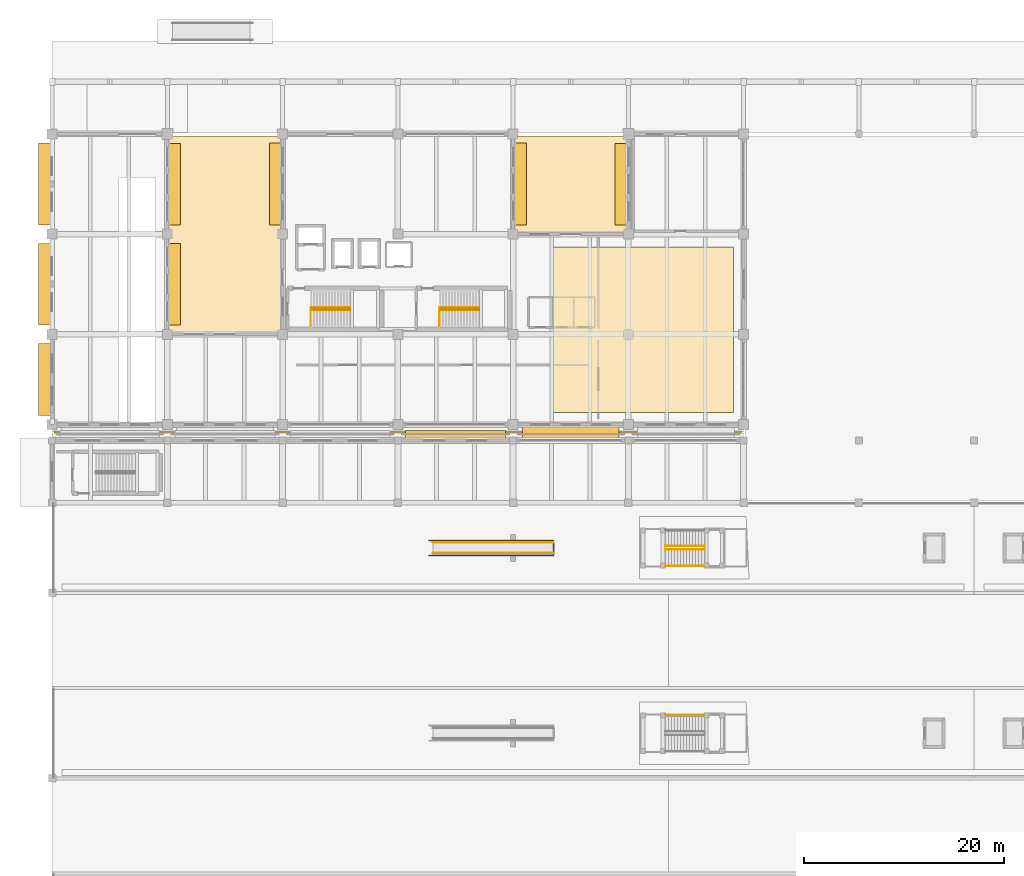
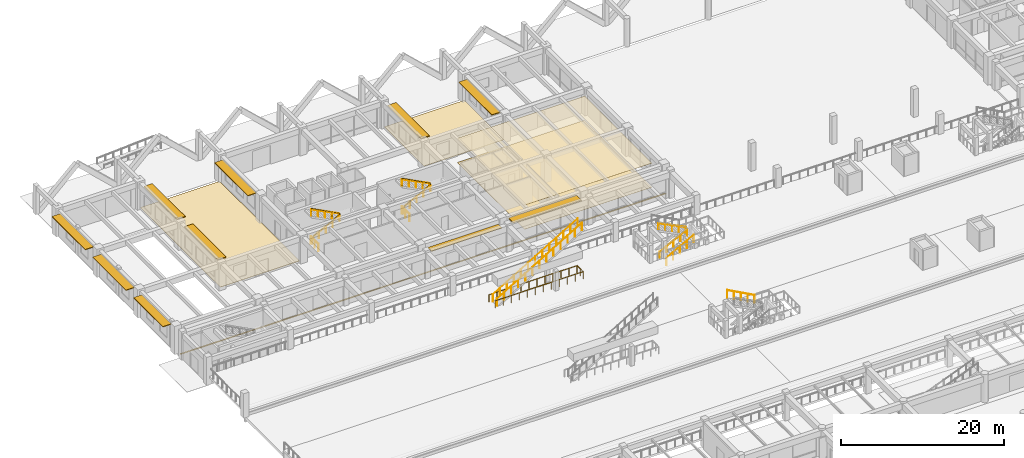
# One storey, part 102 of 109: 15 railings, 10 shading devices, 5 coverings.
"""IFC4 building model written with IfcOpenShell, lengths in metres."""

from ifc_helpers import new_model, si_unit, direction, frame, origin, origin_2d, place, context, subcontext, project, spatial, polyline, rectangle, circle, outline, extrude, material, layer, layer_set, type_object, element, save


model = new_model("IFC4")

# Units and contexts
model_context = context("Model", 3, precision=1e-05, world=origin(), true_north=direction((0.0, 1.0)))
body_context = subcontext(model_context, "Body", "Model", "MODEL_VIEW")
ifc_project = project(units=[si_unit("LENGTHUNIT", "METRE"), si_unit("AREAUNIT", "SQUARE_METRE"), si_unit("VOLUMEUNIT", "CUBIC_METRE"), si_unit("PLANEANGLEUNIT", "RADIAN"), si_unit("MASSUNIT", "GRAM", prefix="KILO")], contexts=[model_context])

# Site, building, storey
site_placement = place(None, origin())
site = spatial("IfcSite", under=ifc_project, at=site_placement, CompositionType="ELEMENT")
building_placement = place(site_placement, origin())
building = spatial("IfcBuilding", under=site, at=building_placement, Name="Ologun Quay Terminus", CompositionType="ELEMENT")
storey_placement = place(building_placement, origin())
storey = spatial("IfcBuildingStorey", under=building, at=storey_placement, Name="L00", CompositionType="ELEMENT", Elevation=0.0)

# Railings
ifc_material_1 = material(Name="Glass", Category="glass")
railing_type_1 = type_object("IfcRailingType", Name="Concourse & Atrium Glazed Balustrade 1150", PredefinedType="BALUSTRADE", material=ifc_material_1)
railing_1_placement = place(storey_placement, frame((38.0, 72.97998046875, 1.25)))
element("IfcRailing", 1, at=railing_1_placement, inside=storey, type_object=railing_type_1, Name="BL-GL Escalator Side Balustrade ESC-03-S", PredefinedType="BALUSTRADE", context=body_context, shape_type="SweptSolid", body=[
    extrude(circle(Radius=0.02392578125, at=origin_2d()), frame((0.0, 0.0, 1.1259765625), z_axis=(0.859071129887, 0.0, 0.511856223752), x_axis=(0.0, 1.0, 0.0)), (0.0, 0.0, 1.0), 13.968505859375),
    extrude(circle(Radius=0.02099609375, at=origin_2d()), origin(), (0.0, 0.0, 1.0), 1.101806640625),
    extrude(circle(Radius=0.02099609375, at=origin_2d()), frame((1.0, 0.0, 0.595703125)), (0.0, 0.0, 1.0), 1.101806640625),
    extrude(circle(Radius=0.02099609375, at=origin_2d()), frame((2.0, 0.0, 1.191650390625)), (0.0, 0.0, 1.0), 1.101806640625),
    extrude(circle(Radius=0.02099609375, at=origin_2d()), frame((3.0, 0.0, 1.78759765625)), (0.0, 0.0, 1.0), 1.101806640625),
    extrude(circle(Radius=0.02099609375, at=origin_2d()), frame((4.0, 0.0, 2.38330078125)), (0.0, 0.0, 1.0), 1.101806640625),
    extrude(circle(Radius=0.02099609375, at=origin_2d()), frame((5.0, 0.0, 2.97900390625)), (0.0, 0.0, 1.0), 1.101806640625),
    extrude(circle(Radius=0.02099609375, at=origin_2d()), frame((6.0, 0.0, 3.574951171875)), (0.0, 0.0, 1.0), 1.101806640625),
    extrude(circle(Radius=0.02099609375, at=origin_2d()), frame((7.0, 0.0, 4.1708984375)), (0.0, 0.0, 1.0), 1.101806640625),
    extrude(circle(Radius=0.02099609375, at=origin_2d()), frame((8.0, 0.0, 4.7666015625)), (0.0, 0.0, 1.0), 1.101806640625),
    extrude(circle(Radius=0.02099609375, at=origin_2d()), frame((9.0, 0.0, 5.3623046875)), (0.0, 0.0, 1.0), 1.101806640625),
    extrude(circle(Radius=0.02099609375, at=origin_2d()), frame((10.0, 0.0, 5.958251953125)), (0.0, 0.0, 1.0), 1.101806640625),
    extrude(circle(Radius=0.02099609375, at=origin_2d()), frame((11.0, 0.0, 6.55419921875)), (0.0, 0.0, 1.0), 1.101806640625),
    extrude(circle(Radius=0.02099609375, at=origin_2d()), frame((12.0, 0.0, 7.14990234375)), (0.0, 0.0, 1.0), 1.101806640625),
])
railing_2_placement = place(storey_placement, frame((38.0, 74.02001953125, 1.25)))
element("IfcRailing", 2, at=railing_2_placement, inside=storey, type_object=railing_type_1, Name="BL-GL Escalator Side Balustrade ESC-03-N", PredefinedType="BALUSTRADE", context=body_context, shape_type="SweptSolid", body=[
    extrude(circle(Radius=0.02392578125, at=origin_2d()), frame((0.0, 0.0, 1.1259765625), z_axis=(0.859071129887, 0.0, 0.511856223752), x_axis=(0.0, 1.0, 0.0)), (0.0, 0.0, 1.0), 13.968505859375),
    extrude(circle(Radius=0.02099609375, at=origin_2d()), origin(), (0.0, 0.0, 1.0), 1.101806640625),
    extrude(circle(Radius=0.02099609375, at=origin_2d()), frame((1.0, 0.0, 0.595703125)), (0.0, 0.0, 1.0), 1.101806640625),
    extrude(circle(Radius=0.02099609375, at=origin_2d()), frame((2.0, 0.0, 1.191650390625)), (0.0, 0.0, 1.0), 1.101806640625),
    extrude(circle(Radius=0.02099609375, at=origin_2d()), frame((3.0, 0.0, 1.78759765625)), (0.0, 0.0, 1.0), 1.101806640625),
    extrude(circle(Radius=0.02099609375, at=origin_2d()), frame((4.0, 0.0, 2.38330078125)), (0.0, 0.0, 1.0), 1.101806640625),
    extrude(circle(Radius=0.02099609375, at=origin_2d()), frame((5.0, 0.0, 2.97900390625)), (0.0, 0.0, 1.0), 1.101806640625),
    extrude(circle(Radius=0.02099609375, at=origin_2d()), frame((6.0, 0.0, 3.574951171875)), (0.0, 0.0, 1.0), 1.101806640625),
    extrude(circle(Radius=0.02099609375, at=origin_2d()), frame((7.0, 0.0, 4.1708984375)), (0.0, 0.0, 1.0), 1.101806640625),
    extrude(circle(Radius=0.02099609375, at=origin_2d()), frame((8.0, 0.0, 4.7666015625)), (0.0, 0.0, 1.0), 1.101806640625),
    extrude(circle(Radius=0.02099609375, at=origin_2d()), frame((9.0, 0.0, 5.3623046875)), (0.0, 0.0, 1.0), 1.101806640625),
    extrude(circle(Radius=0.02099609375, at=origin_2d()), frame((10.0, 0.0, 5.958251953125)), (0.0, 0.0, 1.0), 1.101806640625),
    extrude(circle(Radius=0.02099609375, at=origin_2d()), frame((11.0, 0.0, 6.55419921875)), (0.0, 0.0, 1.0), 1.101806640625),
    extrude(circle(Radius=0.02099609375, at=origin_2d()), frame((12.0, 0.0, 7.14990234375)), (0.0, 0.0, 1.0), 1.101806640625),
])

# Shading devices
ifc_material_2 = material(Name="Aluminium 6063-T6", Category="aluminium")
ifc_layer_1 = layer(ifc_material_2, 0.10009765625)
ifc_layer_set_1 = layer_set([ifc_layer_1], Name="Aluminium 6063-T6")
shading_device_type_1 = type_object("IfcShadingDeviceType", Name="Deep Waterfront Brise-Soleil Blade 1200", PredefinedType="JALOUSIE", material=ifc_layer_set_1)
shading_device_1_placement = place(storey_placement, frame((51.75, 85.070068359375, 3.530029296875), z_axis=(0.0, 0.0, 1.0), x_axis=(1.0, 0.0, 0.0)))
element("IfcShadingDevice", 3, at=shading_device_1_placement, inside=storey, type_object=shading_device_type_1, Name="SD-02 Sun-Hood WEW-WW-O-L00-5", PredefinedType="JALOUSIE", context=body_context, shape_type="SweptSolid", body=[
    extrude(rectangle(XDim=9.659912109375, YDim=1.199951171875, at=origin_2d()), origin(), (0.0, 0.0, 1.0), 0.10009765625),
])
shading_device_2_placement = place(storey_placement, frame((56.77001953125, 109.77490234375, 3.530029296875), z_axis=(0.0, 0.0, 1.0), x_axis=(1.0, 0.0, 0.0)))
element("IfcShadingDevice", 4, at=shading_device_2_placement, inside=storey, type_object=shading_device_type_1, Name="SD-02 Sun-Hood WEW-WW-O-L00-11", PredefinedType="JALOUSIE", context=body_context, shape_type="SweptSolid", body=[
    extrude(rectangle(XDim=1.199951171875, YDim=8.110107421875, at=origin_2d()), origin(), (0.0, 0.0, 1.0), 0.10009765625),
])
for number, where, z_axis, x_axis, name in (
    (5, (46.72998046875, 109.800048828125, 3.530029296875), (0.0, 0.0, 1.0), (1.0, 0.0, 0.0), "SD-02 Sun-Hood WEW-WW-O-L00-13"),
    (6, (22.27001953125, 109.800048828125, 3.530029296875), (0.0, 0.0, 1.0), (1.0, 0.0, 0.0), "SD-02 Sun-Hood WEW-WW-O-L00-17"),
    (7, (12.22998046875, 99.800048828125, 3.530029296875), (0.0, 0.0, 1.0), (1.0, 0.0, 0.0), "SD-02 Sun-Hood WEW-WW-O-L00-19"),
):
    element("IfcShadingDevice", number, at=place(storey_placement, frame(where, z_axis=z_axis, x_axis=x_axis)), inside=storey, type_object=shading_device_type_1, Name=name, PredefinedType="JALOUSIE", context=body_context, shape_type="SweptSolid", body=[
        extrude(rectangle(XDim=1.199951171875, YDim=8.159912109375, at=origin_2d()), origin(), (0.0, 0.0, 1.0), 0.10009765625),
    ])
shading_device_3_placement = place(storey_placement, frame((12.22998046875, 109.77490234375, 3.530029296875), z_axis=(0.0, 0.0, 1.0), x_axis=(1.0, 0.0, 0.0)))
element("IfcShadingDevice", 8, at=shading_device_3_placement, inside=storey, type_object=shading_device_type_1, Name="SD-02 Sun-Hood WEW-WW-O-L00-20", PredefinedType="JALOUSIE", context=body_context, shape_type="SweptSolid", body=[
    extrude(rectangle(XDim=1.199951171875, YDim=8.110107421875, at=origin_2d()), origin(), (0.0, 0.0, 1.0), 0.10009765625),
])
shading_device_4_placement = place(storey_placement, frame((-0.72998046875, 90.300048828125, 3.530029296875), z_axis=(0.0, 0.0, 1.0), x_axis=(1.0, 0.0, 0.0)))
element("IfcShadingDevice", 9, at=shading_device_4_placement, inside=storey, type_object=shading_device_type_1, Name="SD-02 Sun-Hood WEW-WW-O-L00-22", PredefinedType="JALOUSIE", context=body_context, shape_type="SweptSolid", body=[
    extrude(rectangle(XDim=1.199951171875, YDim=7.159912109375, at=origin_2d()), origin(), (0.0, 0.0, 1.0), 0.10009765625),
])
for number, where, z_axis, x_axis, name in (
    (10, (-0.72998046875, 99.800048828125, 3.530029296875), (0.0, 0.0, 1.0), (1.0, 0.0, 0.0), "SD-02 Sun-Hood WEW-WW-O-L00-23"),
    (11, (-0.72998046875, 109.800048828125, 3.530029296875), (0.0, 0.0, 1.0), (1.0, 0.0, 0.0), "SD-02 Sun-Hood WEW-WW-O-L00-24"),
):
    element("IfcShadingDevice", number, at=place(storey_placement, frame(where, z_axis=z_axis, x_axis=x_axis)), inside=storey, type_object=shading_device_type_1, Name=name, PredefinedType="JALOUSIE", context=body_context, shape_type="SweptSolid", body=[
        extrude(rectangle(XDim=1.199951171875, YDim=8.159912109375, at=origin_2d()), origin(), (0.0, 0.0, 1.0), 0.10009765625),
    ])
ifc_material_3 = material(Name="Aluminium 6063-T6", Category="aluminium")
ifc_layer_2 = layer(ifc_material_3, 0.080078125)
ifc_layer_set_2 = layer_set([ifc_layer_2], Name="Aluminium 6063-T6")
shading_device_type_2 = type_object("IfcShadingDeviceType", Name="Horizontal Extruded Aluminium Sun Louvre 900", PredefinedType="JALOUSIE", material=ifc_layer_set_2)
shading_device_5_placement = place(storey_placement, frame((40.25, 84.780029296875, 3.4599609375), z_axis=(0.0, 0.0, 1.0), x_axis=(1.0, 0.0, 0.0)))
element("IfcShadingDevice", 12, at=shading_device_5_placement, inside=storey, type_object=shading_device_type_2, Name="SD-01 Sun-Hood WEW-NGW-L00-04", PredefinedType="JALOUSIE", context=body_context, shape_type="SweptSolid", body=[
    extrude(rectangle(XDim=9.9599609375, YDim=0.89990234375, at=origin_2d()), origin(), (0.0, 0.0, 1.0), 0.080078125),
])

# Coverings
ifc_material_4 = material(Name="Aluminium 6063-T6", Category="aluminium")
ifc_layer_3 = layer(ifc_material_4, 0.034912109375)
ifc_layer_set_3 = layer_set([ifc_layer_3], Name="Aluminium 6063-T6")
covering_type_1 = type_object("IfcCoveringType", Name="Perforated Aluminium Acoustic Baffle Ceiling 35", PredefinedType="CEILING", material=ifc_layer_set_3)
covering_1_placement = place(storey_placement, frame((0.0, 0.0, 3.60009765625)))
element("IfcCovering", 13, at=covering_1_placement, inside=storey, type_object=covering_type_1, Name="CV-CL1 Acoustic Ceiling 2", PredefinedType="CEILING", context=body_context, shape_type="SweptSolid", body=[
    extrude(outline(polyline([(50.0, 87.0), (68.0, 87.0), (68.0, 103.5), (50.0, 103.5), (50.0, 87.0)])), origin(), (0.0, 0.0, 1.0), 0.034912109375),
])
ifc_material_5 = material(Name="Porcelain Tile")
ifc_layer_4 = layer(ifc_material_5, 0.02197265625)
ifc_layer_set_4 = layer_set([ifc_layer_4], Name="Porcelain Tile")
covering_type_2 = type_object("IfcCoveringType", Name="Porcelain Tile Pavilion & Sanitary Flooring 22", PredefinedType="FLOORING", material=ifc_layer_set_4)
covering_2_placement = place(storey_placement, origin())
element("IfcCovering", 14, at=covering_2_placement, inside=storey, type_object=covering_type_2, Name="CV-FL2 Interior Flooring 3", PredefinedType="FLOORING", context=body_context, shape_type="SweptSolid", body=[
    extrude(outline(polyline([(50.0, 87.0), (68.0, 87.0), (68.0, 103.5), (50.0, 103.5), (50.0, 87.0)])), origin(), (0.0, 0.0, 1.0), 0.02197265625),
])
ifc_material_6 = material(Name="Granite Stone", Category="masonry")
ifc_layer_5 = layer(ifc_material_6, 0.06005859375)
ifc_layer_set_5 = layer_set([ifc_layer_5], Name="Granite Stone")
covering_type_3 = type_object("IfcCoveringType", Name="Quay & Forecourt Bush-Hammered Granite Paving 60", PredefinedType="USERDEFINED", material=ifc_layer_set_5)
covering_3_placement = place(storey_placement, frame((0.0, 0.0, -0.06005859375)))
element("IfcCovering", 15, at=covering_3_placement, inside=storey, type_object=covering_type_3, Name="CV-PVG Exterior Granite Paving QUAY-NW", ObjectType="PAVING", PredefinedType="USERDEFINED", context=body_context, shape_type="SweptSolid", body=[
    extrude(outline(polyline([(11.60009765625, 95.0), (22.800048828125, 95.0), (22.800048828125, 114.60009765625), (11.60009765625, 114.60009765625), (11.60009765625, 95.0)])), origin(), (0.0, 0.0, 1.0), 0.06005859375),
])
covering_4_placement = place(storey_placement, frame((0.0, 0.0, -0.06005859375)))
element("IfcCovering", 16, at=covering_4_placement, inside=storey, type_object=covering_type_3, Name="CV-PVG Exterior Granite Paving QUAY-NWLOG", ObjectType="PAVING", PredefinedType="USERDEFINED", context=body_context, shape_type="SweptSolid", body=[
    extrude(outline(polyline([(46.10009765625, 104.89990234375), (57.39990234375, 104.89990234375), (57.39990234375, 114.60009765625), (46.10009765625, 114.60009765625), (46.10009765625, 104.89990234375)])), origin(), (0.0, 0.0, 1.0), 0.06005859375),
])
ifc_material_7 = material(Name="Steel S355", Category="steel")
ifc_layer_6 = layer(ifc_material_7, 0.034912109375)
ifc_layer_set_6 = layer_set([ifc_layer_6], Name="Steel S355")
covering_type_4 = type_object("IfcCoveringType", Name="Stainless Steel Seismic Joint Cover Plate 35", PredefinedType="FLOORING", material=ifc_layer_set_6)
covering_5_placement = place(storey_placement, origin())
element("IfcCovering", 17, at=covering_5_placement, inside=storey, type_object=covering_type_4, Name="CV-MJC Seismic Joint Cover Plate L00-W", PredefinedType="FLOORING", context=body_context, shape_type="SweptSolid", body=[
    extrude(outline(polyline([(0.199951171875, 84.9560546875), (68.800048828125, 84.9560546875), (68.800048828125, 85.156005859375), (0.199951171875, 85.156005859375), (0.199951171875, 84.9560546875)])), origin(), (0.0, 0.0, 1.0), 0.034912109375),
])

# Railings
ifc_material_8 = material(Name="Steel S355", Category="steel")
railing_type_2 = type_object("IfcRailingType", Name="Stair & Landing Steel Guardrail 1100", PredefinedType="GUARDRAIL", material=ifc_material_8)
railing_3_placement = place(storey_placement, frame((25.81005859375, 97.43994140625, 0.0)))
element("IfcRailing", 18, at=railing_3_placement, inside=storey, type_object=railing_type_2, Name="GR-ST Stair Floor Edge Guard ST-W1 L00", PredefinedType="GUARDRAIL", context=body_context, shape_type="SweptSolid", body=[
    extrude(circle(Radius=0.02392578125, at=origin_2d()), frame((0.0, 0.0, 1.076171875), z_axis=(0.0, -1.0, 0.0), x_axis=(1.0, 0.0, 0.0)), (0.0, 0.0, 1.0), 1.829833984375),
    extrude(circle(Radius=0.02099609375, at=origin_2d()), origin(), (0.0, 0.0, 1.0), 1.052001953125),
    extrude(circle(Radius=0.02099609375, at=origin_2d()), frame((0.0, -0.9150390625, 0.0)), (0.0, 0.0, 1.0), 1.052001953125),
    extrude(circle(Radius=0.02099609375, at=origin_2d()), frame((0.0, -1.829833984375, 0.0)), (0.0, 0.0, 1.0), 1.052001953125),
])
railing_4_placement = place(storey_placement, frame((25.85009765625, 97.25, 0.0)))
element("IfcRailing", 19, at=railing_4_placement, inside=storey, type_object=railing_type_2, Name="GR-ST Stair Inner Well Guard ST-W1 L00", PredefinedType="GUARDRAIL", context=body_context, shape_type="SweptSolid", body=[
    extrude(circle(Radius=0.02392578125, at=origin_2d()), frame((0.0, 0.0, 1.076171875), z_axis=(0.881967403671, 0.0, 0.471310406062), x_axis=(0.0, 1.0, 0.0)), (0.0, 0.0, 1.0), 4.455810546875),
    extrude(circle(Radius=0.02392578125, at=origin_2d()), frame((3.929931640625, 0.0, 3.17626953125), z_axis=(0.0, 1.0, 0.0), x_axis=(-1.0, 0.0, 0.0)), (0.0, 0.0, 1.0), 0.199951171875),
    extrude(circle(Radius=0.02392578125, at=origin_2d()), frame((3.929931640625, 0.199951171875, 3.17626953125), z_axis=(-0.881990178689, 0.0, 0.471267784488), x_axis=(0.0, -1.0, 0.0)), (0.0, 0.0, 1.0), 4.455810546875),
    extrude(circle(Radius=0.02099609375, at=origin_2d()), origin(), (0.0, 0.0, 1.0), 1.052001953125),
    extrude(circle(Radius=0.02099609375, at=origin_2d()), frame((0.982421875, 0.0, 0.52490234375)), (0.0, 0.0, 1.0), 1.052001953125),
    extrude(circle(Radius=0.02099609375, at=origin_2d()), frame((1.96484375, 0.0, 1.050048828125)), (0.0, 0.0, 1.0), 1.052001953125),
    extrude(circle(Radius=0.02099609375, at=origin_2d()), frame((2.947509765625, 0.0, 1.5751953125)), (0.0, 0.0, 1.0), 1.052001953125),
    extrude(circle(Radius=0.02099609375, at=origin_2d()), frame((3.929931640625, 0.0, 2.10009765625)), (0.0, 0.0, 1.0), 1.052001953125),
    extrude(circle(Radius=0.02099609375, at=origin_2d()), frame((3.929931640625, 0.199951171875, 2.10009765625)), (0.0, 0.0, 1.0), 1.052001953125),
    extrude(circle(Radius=0.02099609375, at=origin_2d()), frame((2.947509765625, 0.199951171875, 2.625)), (0.0, 0.0, 1.0), 1.052001953125),
    extrude(circle(Radius=0.02099609375, at=origin_2d()), frame((1.96484375, 0.199951171875, 3.14990234375)), (0.0, 0.0, 1.0), 1.052001953125),
    extrude(circle(Radius=0.02099609375, at=origin_2d()), frame((0.982421875, 0.199951171875, 3.675048828125)), (0.0, 0.0, 1.0), 1.052001953125),
    extrude(circle(Radius=0.02099609375, at=origin_2d()), frame((0.0, 0.199951171875, 4.199951171875)), (0.0, 0.0, 1.0), 1.052001953125),
])
railing_5_placement = place(storey_placement, frame((38.659912109375, 97.43994140625, 0.0)))
element("IfcRailing", 20, at=railing_5_placement, inside=storey, type_object=railing_type_2, Name="GR-ST Stair Floor Edge Guard ST-W2 L00", PredefinedType="GUARDRAIL", context=body_context, shape_type="SweptSolid", body=[
    extrude(circle(Radius=0.02392578125, at=origin_2d()), frame((0.0, 0.0, 1.076171875), z_axis=(0.0, -1.0, 0.0), x_axis=(1.0, 0.0, 0.0)), (0.0, 0.0, 1.0), 1.829833984375),
    extrude(circle(Radius=0.02099609375, at=origin_2d()), origin(), (0.0, 0.0, 1.0), 1.052001953125),
    extrude(circle(Radius=0.02099609375, at=origin_2d()), frame((0.0, -0.9150390625, 0.0)), (0.0, 0.0, 1.0), 1.052001953125),
    extrude(circle(Radius=0.02099609375, at=origin_2d()), frame((0.0, -1.829833984375, 0.0)), (0.0, 0.0, 1.0), 1.052001953125),
])
railing_6_placement = place(storey_placement, frame((38.699951171875, 97.25, 0.0)))
element("IfcRailing", 21, at=railing_6_placement, inside=storey, type_object=railing_type_2, Name="GR-ST Stair Inner Well Guard ST-W2 L00", PredefinedType="GUARDRAIL", context=body_context, shape_type="SweptSolid", body=[
    extrude(circle(Radius=0.02392578125, at=origin_2d()), frame((0.0, 0.0, 1.076171875), z_axis=(0.881967403671, 0.0, 0.471310406062), x_axis=(0.0, 1.0, 0.0)), (0.0, 0.0, 1.0), 4.455810546875),
    extrude(circle(Radius=0.02392578125, at=origin_2d()), frame((3.929931640625, 0.0, 3.17626953125), z_axis=(0.0, 1.0, 0.0), x_axis=(-1.0, 0.0, 0.0)), (0.0, 0.0, 1.0), 0.199951171875),
    extrude(circle(Radius=0.02392578125, at=origin_2d()), frame((3.929931640625, 0.199951171875, 3.17626953125), z_axis=(-0.881990178689, 0.0, 0.471267784488), x_axis=(0.0, -1.0, 0.0)), (0.0, 0.0, 1.0), 4.455810546875),
    extrude(circle(Radius=0.02099609375, at=origin_2d()), origin(), (0.0, 0.0, 1.0), 1.052001953125),
    extrude(circle(Radius=0.02099609375, at=origin_2d()), frame((0.982421875, 0.0, 0.52490234375)), (0.0, 0.0, 1.0), 1.052001953125),
    extrude(circle(Radius=0.02099609375, at=origin_2d()), frame((1.96484375, 0.0, 1.050048828125)), (0.0, 0.0, 1.0), 1.052001953125),
    extrude(circle(Radius=0.02099609375, at=origin_2d()), frame((2.947509765625, 0.0, 1.5751953125)), (0.0, 0.0, 1.0), 1.052001953125),
    extrude(circle(Radius=0.02099609375, at=origin_2d()), frame((3.929931640625, 0.0, 2.10009765625)), (0.0, 0.0, 1.0), 1.052001953125),
    extrude(circle(Radius=0.02099609375, at=origin_2d()), frame((3.929931640625, 0.199951171875, 2.10009765625)), (0.0, 0.0, 1.0), 1.052001953125),
    extrude(circle(Radius=0.02099609375, at=origin_2d()), frame((2.947509765625, 0.199951171875, 2.625)), (0.0, 0.0, 1.0), 1.052001953125),
    extrude(circle(Radius=0.02099609375, at=origin_2d()), frame((1.96484375, 0.199951171875, 3.14990234375)), (0.0, 0.0, 1.0), 1.052001953125),
    extrude(circle(Radius=0.02099609375, at=origin_2d()), frame((0.982421875, 0.199951171875, 3.675048828125)), (0.0, 0.0, 1.0), 1.052001953125),
    extrude(circle(Radius=0.02099609375, at=origin_2d()), frame((0.0, 0.199951171875, 4.199951171875)), (0.0, 0.0, 1.0), 1.052001953125),
])
railing_7_placement = place(storey_placement, frame((37.60009765625, 72.75, 1.25)))
element("IfcRailing", 22, at=railing_7_placement, inside=storey, type_object=railing_type_2, Name="GR-ST Escalator Platform Guard ESC-03 L00", PredefinedType="GUARDRAIL", context=body_context, shape_type="SweptSolid", body=[
    extrude(circle(Radius=0.02392578125, at=origin_2d()), frame((0.0, 0.0, 1.076171875), z_axis=(1.0, 0.0, 0.0), x_axis=(0.0, 1.0, 0.0)), (0.0, 0.0, 1.0), 12.449951171875),
    extrude(circle(Radius=0.02392578125, at=origin_2d()), frame((12.449951171875, 0.0, 1.076171875), z_axis=(0.0, 1.0, 0.0), x_axis=(-1.0, 0.0, 0.0)), (0.0, 0.0, 1.0), 1.5),
    extrude(circle(Radius=0.02392578125, at=origin_2d()), frame((12.449951171875, 1.5, 1.076171875), z_axis=(-1.0, 0.0, 0.0), x_axis=(0.0, -1.0, 0.0)), (0.0, 0.0, 1.0), 12.449951171875),
    extrude(circle(Radius=0.02099609375, at=origin_2d()), origin(), (0.0, 0.0, 1.0), 1.052001953125),
    extrude(circle(Radius=0.02099609375, at=origin_2d()), frame((1.1318359375, 0.0, 0.0)), (0.0, 0.0, 1.0), 1.052001953125),
    extrude(circle(Radius=0.02099609375, at=origin_2d()), frame((2.263671875, 0.0, 0.0)), (0.0, 0.0, 1.0), 1.052001953125),
    extrude(circle(Radius=0.02099609375, at=origin_2d()), frame((3.3955078125, 0.0, 0.0)), (0.0, 0.0, 1.0), 1.052001953125),
    extrude(circle(Radius=0.02099609375, at=origin_2d()), frame((4.52734375, 0.0, 0.0)), (0.0, 0.0, 1.0), 1.052001953125),
    extrude(circle(Radius=0.02099609375, at=origin_2d()), frame((5.6591796875, 0.0, 0.0)), (0.0, 0.0, 1.0), 1.052001953125),
    extrude(circle(Radius=0.02099609375, at=origin_2d()), frame((6.790771484375, 0.0, 0.0)), (0.0, 0.0, 1.0), 1.052001953125),
    extrude(circle(Radius=0.02099609375, at=origin_2d()), frame((7.922607421875, 0.0, 0.0)), (0.0, 0.0, 1.0), 1.052001953125),
    extrude(circle(Radius=0.02099609375, at=origin_2d()), frame((9.054443359375, 0.0, 0.0)), (0.0, 0.0, 1.0), 1.052001953125),
    extrude(circle(Radius=0.02099609375, at=origin_2d()), frame((10.186279296875, 0.0, 0.0)), (0.0, 0.0, 1.0), 1.052001953125),
    extrude(circle(Radius=0.02099609375, at=origin_2d()), frame((11.318115234375, 0.0, 0.0)), (0.0, 0.0, 1.0), 1.052001953125),
    extrude(circle(Radius=0.02099609375, at=origin_2d()), frame((12.449951171875, 0.0, 0.0)), (0.0, 0.0, 1.0), 1.052001953125),
    extrude(circle(Radius=0.02099609375, at=origin_2d()), frame((12.449951171875, 0.75, 0.0)), (0.0, 0.0, 1.0), 1.052001953125),
    extrude(circle(Radius=0.02099609375, at=origin_2d()), frame((12.449951171875, 1.5, 0.0)), (0.0, 0.0, 1.0), 1.052001953125),
    extrude(circle(Radius=0.02099609375, at=origin_2d()), frame((11.318115234375, 1.5, 0.0)), (0.0, 0.0, 1.0), 1.052001953125),
    extrude(circle(Radius=0.02099609375, at=origin_2d()), frame((10.186279296875, 1.5, 0.0)), (0.0, 0.0, 1.0), 1.052001953125),
    extrude(circle(Radius=0.02099609375, at=origin_2d()), frame((9.054443359375, 1.5, 0.0)), (0.0, 0.0, 1.0), 1.052001953125),
    extrude(circle(Radius=0.02099609375, at=origin_2d()), frame((7.922607421875, 1.5, 0.0)), (0.0, 0.0, 1.0), 1.052001953125),
    extrude(circle(Radius=0.02099609375, at=origin_2d()), frame((6.790771484375, 1.5, 0.0)), (0.0, 0.0, 1.0), 1.052001953125),
    extrude(circle(Radius=0.02099609375, at=origin_2d()), frame((5.6591796875, 1.5, 0.0)), (0.0, 0.0, 1.0), 1.052001953125),
    extrude(circle(Radius=0.02099609375, at=origin_2d()), frame((4.52734375, 1.5, 0.0)), (0.0, 0.0, 1.0), 1.052001953125),
    extrude(circle(Radius=0.02099609375, at=origin_2d()), frame((3.3955078125, 1.5, 0.0)), (0.0, 0.0, 1.0), 1.052001953125),
    extrude(circle(Radius=0.02099609375, at=origin_2d()), frame((2.263671875, 1.5, 0.0)), (0.0, 0.0, 1.0), 1.052001953125),
    extrude(circle(Radius=0.02099609375, at=origin_2d()), frame((1.1318359375, 1.5, 0.0)), (0.0, 0.0, 1.0), 1.052001953125),
    extrude(circle(Radius=0.02099609375, at=origin_2d()), frame((0.0, 1.5, 0.0)), (0.0, 0.0, 1.0), 1.052001953125),
])
ifc_material_9 = material(Name="Steel S355", Category="steel")
railing_type_3 = type_object("IfcRailingType", Name="Stair Stainless Tubular Handrail 920", PredefinedType="HANDRAIL", material=ifc_material_9)
railing_8_placement = place(storey_placement, frame((25.85009765625, 97.239990234375, 0.14990234375)))
element("IfcRailing", 23, at=railing_8_placement, inside=storey, type_object=railing_type_3, Name="HR-ST Handrail ST-W1-F1 L00", PredefinedType="HANDRAIL", context=body_context, shape_type="SweptSolid", body=[
    extrude(circle(Radius=0.02392578125, at=origin_2d()), frame((0.0, 0.0, 0.89599609375), z_axis=(0.894404793364, 0.0, 0.447258387967), x_axis=(0.0, 1.0, 0.0)), (0.0, 0.0, 1.0), 4.3603515625),
    extrude(circle(Radius=0.02099609375, at=origin_2d()), origin(), (0.0, 0.0, 1.0), 0.871826171875),
    extrude(circle(Radius=0.02099609375, at=origin_2d()), frame((0.97509765625, 0.0, 0.487548828125)), (0.0, 0.0, 1.0), 0.871826171875),
    extrude(circle(Radius=0.02099609375, at=origin_2d()), frame((1.949951171875, 0.0, 0.97509765625)), (0.0, 0.0, 1.0), 0.871826171875),
    extrude(circle(Radius=0.02099609375, at=origin_2d()), frame((2.9248046875, 0.0, 1.462646484375)), (0.0, 0.0, 1.0), 0.871826171875),
    extrude(circle(Radius=0.02099609375, at=origin_2d()), frame((3.89990234375, 0.0, 1.9501953125)), (0.0, 0.0, 1.0), 0.871826171875),
])
railing_9_placement = place(storey_placement, frame((29.75, 97.4599609375, 2.25)))
element("IfcRailing", 24, at=railing_9_placement, inside=storey, type_object=railing_type_3, Name="HR-ST Handrail ST-W1-F2 L00", PredefinedType="HANDRAIL", context=body_context, shape_type="SweptSolid", body=[
    extrude(circle(Radius=0.02392578125, at=origin_2d()), frame((0.0, 0.0, 0.89599609375), z_axis=(-0.894427191, 0.0, 0.4472135955), x_axis=(0.0, -1.0, 0.0)), (0.0, 0.0, 1.0), 4.360107421875),
    extrude(circle(Radius=0.02099609375, at=origin_2d()), origin(), (0.0, 0.0, 1.0), 0.871826171875),
    extrude(circle(Radius=0.02099609375, at=origin_2d()), frame((-0.97509765625, 0.0, 0.487548828125)), (0.0, 0.0, 1.0), 0.871826171875),
    extrude(circle(Radius=0.02099609375, at=origin_2d()), frame((-1.949951171875, 0.0, 0.97509765625)), (0.0, 0.0, 1.0), 0.871826171875),
    extrude(circle(Radius=0.02099609375, at=origin_2d()), frame((-2.9248046875, 0.0, 1.46240234375)), (0.0, 0.0, 1.0), 0.871826171875),
    extrude(circle(Radius=0.02099609375, at=origin_2d()), frame((-3.89990234375, 0.0, 1.949951171875)), (0.0, 0.0, 1.0), 0.871826171875),
])
railing_10_placement = place(storey_placement, frame((38.699951171875, 97.239990234375, 0.14990234375)))
element("IfcRailing", 25, at=railing_10_placement, inside=storey, type_object=railing_type_3, Name="HR-ST Handrail ST-W2-F1 L00", PredefinedType="HANDRAIL", context=body_context, shape_type="SweptSolid", body=[
    extrude(circle(Radius=0.02392578125, at=origin_2d()), frame((0.0, 0.0, 0.89599609375), z_axis=(0.894415993023, 0.0, 0.447235990752), x_axis=(0.0, 1.0, 0.0)), (0.0, 0.0, 1.0), 4.360595703125),
    extrude(circle(Radius=0.02099609375, at=origin_2d()), origin(), (0.0, 0.0, 1.0), 0.871826171875),
    extrude(circle(Radius=0.02099609375, at=origin_2d()), frame((0.97509765625, 0.0, 0.487548828125)), (0.0, 0.0, 1.0), 0.871826171875),
    extrude(circle(Radius=0.02099609375, at=origin_2d()), frame((1.9501953125, 0.0, 0.97509765625)), (0.0, 0.0, 1.0), 0.871826171875),
    extrude(circle(Radius=0.02099609375, at=origin_2d()), frame((2.925048828125, 0.0, 1.462646484375)), (0.0, 0.0, 1.0), 0.871826171875),
    extrude(circle(Radius=0.02099609375, at=origin_2d()), frame((3.900146484375, 0.0, 1.9501953125)), (0.0, 0.0, 1.0), 0.871826171875),
])
railing_11_placement = place(storey_placement, frame((42.60009765625, 97.4599609375, 2.25)))
element("IfcRailing", 26, at=railing_11_placement, inside=storey, type_object=railing_type_3, Name="HR-ST Handrail ST-W2-F2 L00", PredefinedType="HANDRAIL", context=body_context, shape_type="SweptSolid", body=[
    extrude(circle(Radius=0.02392578125, at=origin_2d()), frame((0.0, 0.0, 0.89599609375), z_axis=(-0.894438388696, 0.0, 0.447191199406), x_axis=(0.0, -1.0, 0.0)), (0.0, 0.0, 1.0), 4.3603515625),
    extrude(circle(Radius=0.02099609375, at=origin_2d()), origin(), (0.0, 0.0, 1.0), 0.871826171875),
    extrude(circle(Radius=0.02099609375, at=origin_2d()), frame((-0.97509765625, 0.0, 0.487548828125)), (0.0, 0.0, 1.0), 0.871826171875),
    extrude(circle(Radius=0.02099609375, at=origin_2d()), frame((-1.9501953125, 0.0, 0.97509765625)), (0.0, 0.0, 1.0), 0.871826171875),
    extrude(circle(Radius=0.02099609375, at=origin_2d()), frame((-2.925048828125, 0.0, 1.46240234375)), (0.0, 0.0, 1.0), 0.871826171875),
    extrude(circle(Radius=0.02099609375, at=origin_2d()), frame((-3.900146484375, 0.0, 1.949951171875)), (0.0, 0.0, 1.0), 0.871826171875),
])
railing_12_placement = place(storey_placement, frame((61.199951171875, 73.340087890625, 0.14990234375)))
element("IfcRailing", 27, at=railing_12_placement, inside=storey, type_object=railing_type_3, Name="HR-ST Handrail ST-P3-F1 L00", PredefinedType="HANDRAIL", context=body_context, shape_type="SweptSolid", body=[
    extrude(circle(Radius=0.02392578125, at=origin_2d()), frame((0.0, 0.0, 0.89599609375), z_axis=(0.894415993023, 0.0, 0.447235990752), x_axis=(0.0, 1.0, 0.0)), (0.0, 0.0, 1.0), 4.360595703125),
    extrude(circle(Radius=0.02099609375, at=origin_2d()), origin(), (0.0, 0.0, 1.0), 0.871826171875),
    extrude(circle(Radius=0.02099609375, at=origin_2d()), frame((0.97509765625, 0.0, 0.487548828125)), (0.0, 0.0, 1.0), 0.871826171875),
    extrude(circle(Radius=0.02099609375, at=origin_2d()), frame((1.9501953125, 0.0, 0.97509765625)), (0.0, 0.0, 1.0), 0.871826171875),
    extrude(circle(Radius=0.02099609375, at=origin_2d()), frame((2.925048828125, 0.0, 1.462646484375)), (0.0, 0.0, 1.0), 0.871826171875),
    extrude(circle(Radius=0.02099609375, at=origin_2d()), frame((3.900146484375, 0.0, 1.9501953125)), (0.0, 0.0, 1.0), 0.871826171875),
])
railing_13_placement = place(storey_placement, frame((65.10009765625, 73.659912109375, 2.25)))
element("IfcRailing", 28, at=railing_13_placement, inside=storey, type_object=railing_type_3, Name="HR-ST Handrail ST-P3-F2 L00", PredefinedType="HANDRAIL", context=body_context, shape_type="SweptSolid", body=[
    extrude(circle(Radius=0.02392578125, at=origin_2d()), frame((0.0, 0.0, 0.89599609375), z_axis=(-0.894438388696, 0.0, 0.447191199406), x_axis=(0.0, -1.0, 0.0)), (0.0, 0.0, 1.0), 4.3603515625),
    extrude(circle(Radius=0.02099609375, at=origin_2d()), origin(), (0.0, 0.0, 1.0), 0.871826171875),
    extrude(circle(Radius=0.02099609375, at=origin_2d()), frame((-0.97509765625, 0.0, 0.487548828125)), (0.0, 0.0, 1.0), 0.871826171875),
    extrude(circle(Radius=0.02099609375, at=origin_2d()), frame((-1.9501953125, 0.0, 0.97509765625)), (0.0, 0.0, 1.0), 0.871826171875),
    extrude(circle(Radius=0.02099609375, at=origin_2d()), frame((-2.925048828125, 0.0, 1.46240234375)), (0.0, 0.0, 1.0), 0.871826171875),
    extrude(circle(Radius=0.02099609375, at=origin_2d()), frame((-3.900146484375, 0.0, 1.949951171875)), (0.0, 0.0, 1.0), 0.871826171875),
])
ifc_material_10 = material(Name="Steel S355", Category="steel")
railing_type_4 = type_object("IfcRailingType", Name="Terrace & Quay Perimeter Guardrail 1150", PredefinedType="GUARDRAIL", material=ifc_material_10)
railing_14_placement = place(storey_placement, frame((61.199951171875, 56.800048828125, 4.199951171875)))
element("IfcRailing", 29, at=railing_14_placement, inside=storey, type_object=railing_type_4, Name="GR-TR Open Flight Outer Guard ST-P1-N L00", PredefinedType="GUARDRAIL", context=body_context, shape_type="SweptSolid", body=[
    extrude(circle(Radius=0.02392578125, at=origin_2d()), frame((0.0, 0.0, 1.1259765625), z_axis=(0.878955042315, 0.0, -0.476904637835), x_axis=(0.0, 1.0, 0.0)), (0.0, 0.0, 1.0), 4.403076171875),
    extrude(circle(Radius=0.02099609375, at=origin_2d()), origin(), (0.0, 0.0, 1.0), 1.101806640625),
    extrude(circle(Radius=0.02099609375, at=origin_2d()), frame((0.967529296875, 0.0, -0.52490234375)), (0.0, 0.0, 1.0), 1.101806640625),
    extrude(circle(Radius=0.02099609375, at=origin_2d()), frame((1.93505859375, 0.0, -1.0498046875)), (0.0, 0.0, 1.0), 1.101806640625),
    extrude(circle(Radius=0.02099609375, at=origin_2d()), frame((2.902587890625, 0.0, -1.574951171875)), (0.0, 0.0, 1.0), 1.101806640625),
    extrude(circle(Radius=0.02099609375, at=origin_2d()), frame((3.8701171875, 0.0, -2.099853515625)), (0.0, 0.0, 1.0), 1.101806640625),
])
railing_15_placement = place(storey_placement, frame((61.199951171875, 71.699951171875, 0.0)))
element("IfcRailing", 30, at=railing_15_placement, inside=storey, type_object=railing_type_4, Name="GR-TR Open Flight Outer Guard ST-P3-S L00", PredefinedType="GUARDRAIL", context=body_context, shape_type="SweptSolid", body=[
    extrude(circle(Radius=0.02392578125, at=origin_2d()), frame((0.0, 0.0, 1.1259765625), z_axis=(0.878931799495, 0.0, 0.476947472827), x_axis=(0.0, 1.0, 0.0)), (0.0, 0.0, 1.0), 4.4033203125),
    extrude(circle(Radius=0.02099609375, at=origin_2d()), origin(), (0.0, 0.0, 1.0), 1.101806640625),
    extrude(circle(Radius=0.02099609375, at=origin_2d()), frame((0.967529296875, 0.0, 0.52490234375)), (0.0, 0.0, 1.0), 1.101806640625),
    extrude(circle(Radius=0.02099609375, at=origin_2d()), frame((1.93505859375, 0.0, 1.050048828125)), (0.0, 0.0, 1.0), 1.101806640625),
    extrude(circle(Radius=0.02099609375, at=origin_2d()), frame((2.902587890625, 0.0, 1.5751953125)), (0.0, 0.0, 1.0), 1.101806640625),
    extrude(circle(Radius=0.02099609375, at=origin_2d()), frame((3.8701171875, 0.0, 2.10009765625)), (0.0, 0.0, 1.0), 1.101806640625),
])

save(model, "model.ifc")
